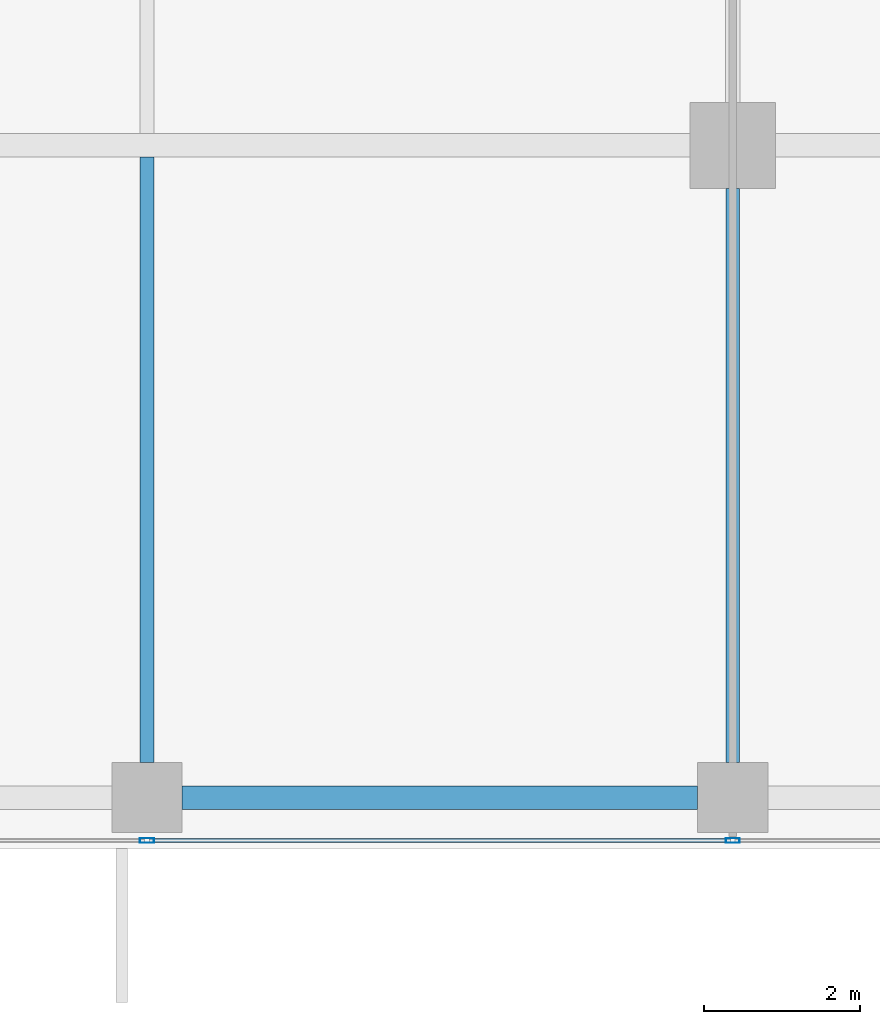
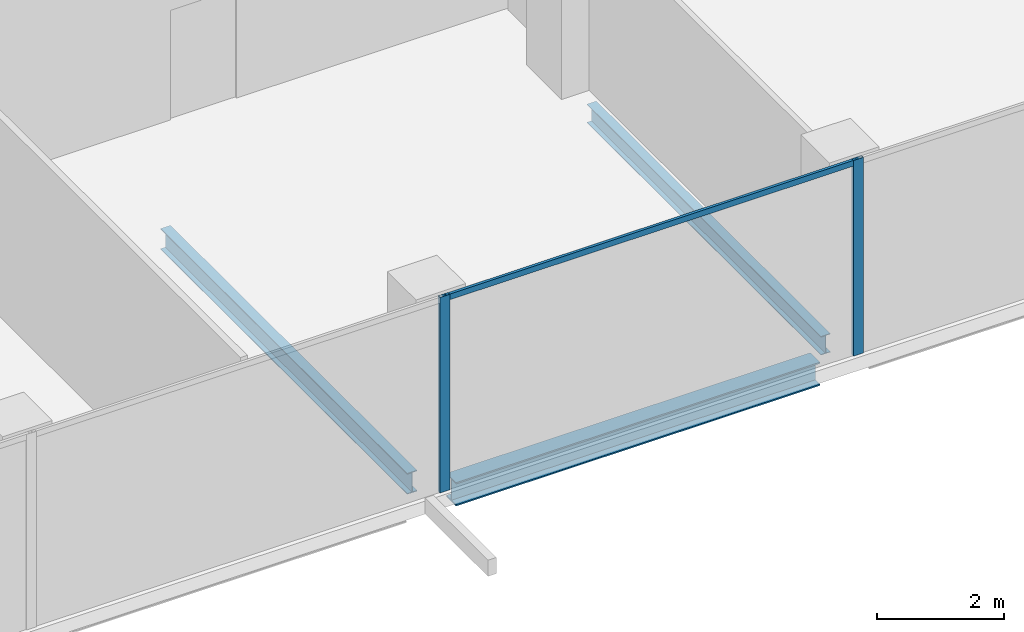
# One storey, part 6 of 34: 3 beams, 3 members, 1 element without a shape of its own.
"""IFC4 building model written with IfcOpenShell, lengths in metres."""

import ifcopenshell
import ifcopenshell.guid

model = None  # the IFC model being written
_history = None  # IfcOwnerHistory: only IFC2X3 demands one
_inside = {}  # id of a spatial element -> (the spatial element, [elements in it])
_under = {}  # id of a project, library or spatial element -> (it, [spatial elements below it])
_declared = {}  # id of a project -> (the project, [libraries it declares])
_typed = {}  # id of a type object -> (the type object, [elements of that type])
_made_of = {}  # id of a material, layer set ... -> (it, [elements and type objects made of it])


def new_model(schema):
    """Start an empty IFC model of exactly this schema.

    Asked for "IFC4X3", IfcOpenShell would pick the latest addendum, in which some entities
    have other attributes; the version numbers below select the first issue.
    IFC2X3 requires an IfcOwnerHistory on every rooted entity: one is made here for all.
    """
    global model, _history
    if schema == "IFC4X3":
        model = ifcopenshell.file(schema_version=(4, 3, 0, 0))
    else:
        model = ifcopenshell.file(schema=schema)
    _inside.clear()
    _under.clear()
    _declared.clear()
    _typed.clear()
    _made_of.clear()
    _history = None
    if model.schema == "IFC2X3":
        org = make("IfcOrganization", Name="unknown")
        user = make(
            "IfcPersonAndOrganization",
            ThePerson=make("IfcPerson", FamilyName="unknown"),
            TheOrganization=org,
        )
        app = make(
            "IfcApplication",
            ApplicationDeveloper=org,
            Version="unknown",
            ApplicationFullName="unknown",
            ApplicationIdentifier="unknown",
        )
        _history = make(
            "IfcOwnerHistory",
            OwningUser=user,
            OwningApplication=app,
            ChangeAction="ADDED",
            CreationDate=0,
        )
    return model


def make(cls, **values):
    """One entity of the class cls with the attributes given. An attribute that is None is left unset."""
    return model.create_entity(
        cls, **{name: value for name, value in values.items() if value is not None}
    )


def rooted(cls, **values):
    """An entity with a GlobalId (a new one), such as an element, a storey or a relation."""
    return make(cls, GlobalId=ifcopenshell.guid.new(), OwnerHistory=_history, **values)


def si_unit(unit_type, name, prefix=None):
    """IfcSIUnit, for example si_unit("LENGTHUNIT", "METRE", prefix="MILLI")."""
    return make("IfcSIUnit", UnitType=unit_type, Prefix=prefix, Name=name)


def assignment(units):
    """IfcUnitAssignment: the units of a project."""
    return None if units is None else make("IfcUnitAssignment", Units=units)


def point(xyz):
    """IfcCartesianPoint."""
    return None if xyz is None else make("IfcCartesianPoint", Coordinates=xyz)


def direction(xyz):
    """IfcDirection."""
    return None if xyz is None else make("IfcDirection", DirectionRatios=xyz)


def frame(location, z_axis=None, x_axis=None):
    """IfcAxis2Placement3D, a coordinate frame: its origin and axes. An axis left out is left unset."""
    return make(
        "IfcAxis2Placement3D",
        Location=point(location),
        Axis=direction(z_axis),
        RefDirection=direction(x_axis),
    )


def frame_2d(location, x_axis=None):
    """IfcAxis2Placement2D, a coordinate frame in the plane: its origin and x axis."""
    return make(
        "IfcAxis2Placement2D", Location=point(location), RefDirection=direction(x_axis)
    )


def origin():
    """The frame at (0, 0, 0) with its axes left unset."""
    return frame((0.0, 0.0, 0.0))


def origin_2d():
    """The frame at (0, 0) in the plane with its x axis left unset."""
    return frame_2d((0.0, 0.0))


def place(relative_to, where):
    """IfcLocalPlacement: puts the frame where relative to a parent placement (None: the world)."""
    return make(
        "IfcLocalPlacement", PlacementRelTo=relative_to, RelativePlacement=where
    )


def context(
    kind, dimensions, precision=None, world=None, true_north=None, identifier=None
):
    """IfcGeometricRepresentationContext, for example the 3D "Model" context."""
    return make(
        "IfcGeometricRepresentationContext",
        ContextIdentifier=identifier,
        ContextType=kind,
        CoordinateSpaceDimension=dimensions,
        Precision=precision,
        WorldCoordinateSystem=world,
        TrueNorth=true_north,
    )


def subcontext(parent, identifier, kind, view, scale=None):
    """IfcGeometricRepresentationSubContext, for example "Body" below "Model"."""
    return make(
        "IfcGeometricRepresentationSubContext",
        ContextIdentifier=identifier,
        ContextType=kind,
        ParentContext=parent,
        TargetScale=scale,
        TargetView=view,
    )


def project(units=None, contexts=None):
    """IfcProject with its units and contexts."""
    return rooted(
        "IfcProject",
        Name="project",
        RepresentationContexts=contexts,
        UnitsInContext=assignment(units),
    )


def spatial(cls, under=None, at=None, **own):
    """A site, building, storey or space (cls), placed at a placement, below another one or the project."""
    s = rooted(cls, ObjectPlacement=at, **own)
    if under is not None:
        _under.setdefault(under.id(), (under, []))[1].append(s)
    return s


def profile(cls, at=None, kind="AREA", **sizes):
    """A parametric profile (cls). Its sizes go by their IFC names, for example OverallWidth=200.0."""
    return make(cls, ProfileType=kind, Position=at, **sizes)


def hollow_rectangle(**sizes):
    """IfcRectangleHollowProfileDef."""
    return profile("IfcRectangleHollowProfileDef", **sizes)


def i_section(**sizes):
    """IfcIShapeProfileDef."""
    return profile("IfcIShapeProfileDef", **sizes)


def extrude(swept, where, along, depth):
    """IfcExtrudedAreaSolid: the profile swept, set in the frame where, extruded along a direction by depth."""
    return make(
        "IfcExtrudedAreaSolid",
        SweptArea=swept,
        Position=where,
        ExtrudedDirection=direction(along),
        Depth=depth,
    )


def shape(context_of_items, identifier, shape_type, items):
    """IfcShapeRepresentation: the items that make up one representation, for example the "Body"."""
    return make(
        "IfcShapeRepresentation",
        ContextOfItems=context_of_items,
        RepresentationIdentifier=identifier,
        RepresentationType=shape_type,
        Items=items,
    )


def source(mapping_origin, context_of_items, identifier, shape_type, items):
    """IfcRepresentationMap: a shape defined once, which mapped items show again and again."""
    return make(
        "IfcRepresentationMap",
        MappingOrigin=mapping_origin,
        MappedRepresentation=shape(context_of_items, identifier, shape_type, items),
    )


def transform(
    local_origin,
    x_axis=None,
    y_axis=None,
    z_axis=None,
    scale=None,
    scale2=None,
    scale3=None,
    uniform=True,
):
    """IfcCartesianTransformationOperator3D, or its non-uniform kind. x_axis, y_axis, z_axis: its Axis1, 2, 3."""
    if uniform:
        return make(
            "IfcCartesianTransformationOperator3D",
            Axis1=direction(x_axis),
            Axis2=direction(y_axis),
            LocalOrigin=point(local_origin),
            Scale=scale,
            Axis3=direction(z_axis),
        )
    return make(
        "IfcCartesianTransformationOperator3DnonUniform",
        Axis1=direction(x_axis),
        Axis2=direction(y_axis),
        LocalOrigin=point(local_origin),
        Scale=scale,
        Axis3=direction(z_axis),
        Scale2=scale2,
        Scale3=scale3,
    )


def mapped(mapping_source, mapping_target):
    """IfcMappedItem: shows the shape of a source again, moved by a transform."""
    return make(
        "IfcMappedItem", MappingSource=mapping_source, MappingTarget=mapping_target
    )


def material(Name=None, Category=None):
    """IfcMaterial."""
    return make("IfcMaterial", Name=Name, Category=Category)


def material_profile(
    of_material, cross_section, Name=None, Category=None, Priority=None
):
    """IfcMaterialProfile: a cross section and its material."""
    return make(
        "IfcMaterialProfile",
        Name=Name,
        Material=of_material,
        Profile=cross_section,
        Priority=Priority,
        Category=Category,
    )


def profile_set(profiles, Name=None, composite=None):
    """IfcMaterialProfileSet."""
    return make(
        "IfcMaterialProfileSet",
        Name=Name,
        MaterialProfiles=profiles,
        CompositeProfile=composite,
    )


def made_of(thing, what):
    """Note that an element or type object is made of a material, layer set ...; save() writes the relation."""
    if what is not None:
        _made_of.setdefault(what.id(), (what, []))[1].append(thing)
    return thing


def type_object(cls, material=None, **own):
    """A type object (cls), such as IfcWallType, which elements share."""
    return made_of(rooted(cls, **own), material)


def element(
    cls,
    number,
    at=None,
    inside=None,
    cuts=None,
    type_object=None,
    material=None,
    context=None,
    identifier="Body",
    shape_type=None,
    held_by="IfcProductDefinitionShape",
    body=None,
    shapes=None,
    **own,
):
    """One element of the class cls, such as IfcWall. Its Tag is "e" and its number.

    at: its placement. inside: the storey or other place that contains it. cuts: it is an
    opening in that element (IfcRelVoidsElement). A single representation is given by context,
    identifier, shape_type and body (its items); several are given by shapes. held_by: the class
    of the entity that holds the representations. save() writes the other relations.
    """
    e = rooted(cls, Tag="e%d" % number, ObjectPlacement=at, **own)
    if body is not None:
        shapes = [shape(context, identifier, shape_type, body)]
    if shapes is not None:
        e.Representation = make(held_by, Representations=shapes)
    if inside is not None:
        _inside.setdefault(inside.id(), (inside, []))[1].append(e)
    if cuts is not None:
        rooted(
            "IfcRelVoidsElement", RelatingBuildingElement=cuts, RelatedOpeningElement=e
        )
    if type_object is not None:
        _typed.setdefault(type_object.id(), (type_object, []))[1].append(e)
    return made_of(e, material)


def aggregate(whole, parts):
    """IfcRelAggregates: a whole, such as a stair, and the parts it consists of."""
    return rooted("IfcRelAggregates", RelatingObject=whole, RelatedObjects=parts)


def save(model, path):
    """Write the relations noted so far, then the file.

    IfcRelAggregates (storeys below a building ...), IfcRelContainedInSpatialStructure (elements
    in a storey), IfcRelDefinesByType, IfcRelAssociatesMaterial and IfcRelDeclares: one each for
    every whole, place, type object, material and project.
    """
    for whole, parts in _under.values():
        aggregate(whole, parts)
    for where, things in _inside.values():
        rooted(
            "IfcRelContainedInSpatialStructure",
            RelatedElements=things,
            RelatingStructure=where,
        )
    for kind, things in _typed.values():
        rooted("IfcRelDefinesByType", RelatedObjects=things, RelatingType=kind)
    for what, things in _made_of.values():
        rooted("IfcRelAssociatesMaterial", RelatedObjects=things, RelatingMaterial=what)
    for by, libraries in _declared.values():
        rooted("IfcRelDeclares", RelatingContext=by, RelatedDefinitions=libraries)
    model.write(path)


model = new_model("IFC4")

# Units and contexts
model_context = context("Model", 3, precision=1e-05, world=origin(), true_north=direction((0.0, 1.0)))
body_context = subcontext(model_context, "Body", "Model", "MODEL_VIEW")
ifc_project = project(units=[si_unit("LENGTHUNIT", "METRE"), si_unit("AREAUNIT", "SQUARE_METRE"), si_unit("VOLUMEUNIT", "CUBIC_METRE"), si_unit("PLANEANGLEUNIT", "RADIAN"), si_unit("MASSUNIT", "GRAM", prefix="KILO")], contexts=[model_context])

# Site, building, storey
site_placement = place(None, origin())
site = spatial("IfcSite", under=ifc_project, at=site_placement, CompositionType="ELEMENT")
building_placement = place(site_placement, origin())
building = spatial("IfcBuilding", under=site, at=building_placement, Name="Khomas Fold Tower", CompositionType="ELEMENT")
storey_placement = place(building_placement, frame((0.0, 0.0, 242.199951171875)))
storey = spatial("IfcBuildingStorey", under=building, at=storey_placement, Name="L54", CompositionType="ELEMENT", Elevation=242.199951171875)

# Beams
ifc_material_1 = material(Name="Steel S355", Category="steel")
ifc_material_profile_1 = material_profile(ifc_material_1, i_section(OverallWidth=0.300048828125, OverallDepth=0.449951171875, WebThickness=0.013916015625, FlangeThickness=0.02587890625, at=origin_2d()), Name="HE 450 B")
ifc_profile_set_1 = profile_set([ifc_material_profile_1], Name="Steel S355")
beam_type_1 = type_object("IfcBeamType", Name="HE 450 B spandrel SB4", PredefinedType="SPANDREL", material=ifc_profile_set_1)
shared_shape_1 = source(origin(), body_context, "Body", "SweptSolid", [
    extrude(i_section(OverallWidth=0.300048828125, OverallDepth=0.449951171875, WebThickness=0.013916015625, FlangeThickness=0.02587890625, at=origin_2d()), origin(), (0.0, 0.0, 1.0), 6.60009765625),
])
beam_1_placement = place(storey_placement, frame((27.449951171875, 5.14990234375, -0.474853515625), z_axis=(1.0, 0.0, 0.0), x_axis=(0.0, 1.0, 0.0)))
element("IfcBeam", 1, at=beam_1_placement, inside=storey, type_object=beam_type_1, Name="SB4", PredefinedType="SPANDREL", context=body_context, shape_type="MappedRepresentation", body=[
    mapped(shared_shape_1, transform((0.0, 0.0, 0.0))),
])
ifc_material_2 = material(Name="Steel S355", Category="steel")
ifc_material_profile_2 = material_profile(ifc_material_2, i_section(OverallWidth=0.179931640625, OverallDepth=0.39990234375, WebThickness=0.008544921875, FlangeThickness=0.013427734375, at=origin_2d()), Name="IPE 400")
ifc_profile_set_2 = profile_set([ifc_material_profile_2], Name="Steel S355")
beam_type_2 = type_object("IfcBeamType", Name="IPE 400 beam JB3", PredefinedType="BEAM", material=ifc_profile_set_2)
shared_shape_2 = source(origin(), body_context, "Body", "SweptSolid", [
    extrude(i_section(OverallWidth=0.179931640625, OverallDepth=0.39990234375, WebThickness=0.008544921875, FlangeThickness=0.013427734375, at=origin_2d()), origin(), (0.0, 0.0, 1.0), 7.75),
])
beam_2_placement = place(storey_placement, frame((27.0, 5.60009765625, -0.449951171875), z_axis=(0.0, 1.0, 0.0), x_axis=(-1.0, 0.0, 0.0)))
element("IfcBeam", 2, at=beam_2_placement, inside=storey, type_object=beam_type_2, Name="JB3", PredefinedType="BEAM", context=body_context, shape_type="MappedRepresentation", body=[
    mapped(shared_shape_2, transform((0.0, 0.0, 0.0))),
])
ifc_material_3 = material(Name="Steel S355", Category="steel")
ifc_material_profile_3 = material_profile(ifc_material_3, i_section(OverallWidth=0.169921875, OverallDepth=0.360107421875, WebThickness=0.008056640625, FlangeThickness=0.0126953125, at=origin_2d()), Name="IPE 360")
ifc_profile_set_3 = profile_set([ifc_material_profile_3], Name="Steel S355")
beam_type_3 = type_object("IfcBeamType", Name="IPE 360 beam JB2", PredefinedType="BEAM", material=ifc_profile_set_3)
shared_shape_3 = source(origin(), body_context, "Body", "SweptSolid", [
    extrude(i_section(OverallWidth=0.169921875, OverallDepth=0.360107421875, WebThickness=0.008056640625, FlangeThickness=0.0126953125, at=origin_2d()), origin(), (0.0, 0.0, 1.0), 7.349853515625),
])
beam_3_placement = place(storey_placement, frame((34.5, 5.60009765625, -0.429931640625), z_axis=(0.0, 1.0, 0.0), x_axis=(-1.0, 0.0, 0.0)))
element("IfcBeam", 3, at=beam_3_placement, inside=storey, type_object=beam_type_3, Name="JB2", PredefinedType="BEAM", context=body_context, shape_type="MappedRepresentation", body=[
    mapped(shared_shape_3, transform((0.0, 0.0, 0.0))),
])

# Curtain wall, members
ifc_material_4 = material(Name="Aluminium framed double glazing", Category="aluminium")
curtain_wall_type = type_object("IfcCurtainWallType", Name="SK-Unitised clear-glass wall, office floors CW2", PredefinedType="NOTDEFINED", material=ifc_material_4)
curtain_wall_placement = place(storey_placement, origin())
curtain_wall = element("IfcCurtainWall", 4, at=curtain_wall_placement, inside=storey, type_object=curtain_wall_type, Name="CW2 run L54 00-0", PredefinedType="NOTDEFINED")
ifc_material_5 = material(Name="Aluminium", Category="aluminium")
ifc_material_profile_4 = material_profile(ifc_material_5, hollow_rectangle(XDim=0.06005859375, YDim=0.179931640625, WallThickness=0.00390625, at=origin_2d()), Name="SK-Unitised clear-glass wall, office floors mullion CW2-M")
ifc_profile_set_4 = profile_set([ifc_material_profile_4], Name="Aluminium")
member_type_1 = type_object("IfcMemberType", Name="SK-Unitised clear-glass wall, office floors mullion CW2-M", PredefinedType="MULLION", material=ifc_profile_set_4)
shared_shape_4 = source(origin(), body_context, "Body", "SweptSolid", [
    extrude(hollow_rectangle(XDim=0.06005859375, YDim=0.179931640625, WallThickness=0.00390625, at=origin_2d()), origin(), (0.0, 0.0, 1.0), 3.75),
])
member_1_placement = place(storey_placement, frame((27.0, 4.60009765625, 0.0), z_axis=(0.0, 0.0, 1.0), x_axis=(0.0, 1.0, 0.0)))
member_1 = element("IfcMember", 5, at=member_1_placement, type_object=member_type_1, Name="CW2 mullion 4", PredefinedType="MULLION", context=body_context, shape_type="MappedRepresentation", body=[
    mapped(shared_shape_4, transform((0.0, 0.0, 0.0))),
])
member_2_placement = place(storey_placement, frame((34.5, 4.60009765625, 0.0), z_axis=(0.0, 0.0, 1.0), x_axis=(0.0, 1.0, 0.0)))
member_2 = element("IfcMember", 6, at=member_2_placement, type_object=member_type_1, Name="CW2 mullion 5", PredefinedType="MULLION", context=body_context, shape_type="MappedRepresentation", body=[
    mapped(shared_shape_4, transform((0.0, 0.0, 0.0))),
])
ifc_material_6 = material(Name="Aluminium", Category="aluminium")
ifc_material_profile_5 = material_profile(ifc_material_6, hollow_rectangle(XDim=0.050048828125, YDim=0.110107421875, WallThickness=0.00390625, at=origin_2d()), Name="SK-Unitised clear-glass wall, office floors transom CW2-T")
ifc_profile_set_5 = profile_set([ifc_material_profile_5], Name="Aluminium")
member_type_2 = type_object("IfcMemberType", Name="SK-Unitised clear-glass wall, office floors transom CW2-T", PredefinedType="USERDEFINED", material=ifc_profile_set_5)
shared_shape_5 = source(origin(), body_context, "Body", "SweptSolid", [
    extrude(hollow_rectangle(XDim=0.050048828125, YDim=0.110107421875, WallThickness=0.00390625, at=origin_2d()), origin(), (0.0, 0.0, 1.0), 7.43994140625),
])
member_3_placement = place(storey_placement, frame((27.030029296875, 4.60009765625, 3.695068359375), z_axis=(1.0, 0.0, 0.0), x_axis=(0.0, 1.0, 0.0)))
member_3 = element("IfcMember", 7, at=member_3_placement, type_object=member_type_2, Name="CW2 transom 4", ObjectType="TRANSOM", PredefinedType="USERDEFINED", context=body_context, shape_type="MappedRepresentation", body=[
    mapped(shared_shape_5, transform((0.0, 0.0, 0.0))),
])
aggregate(curtain_wall, [member_1, member_2, member_3])

save(model, "model.ifc")
